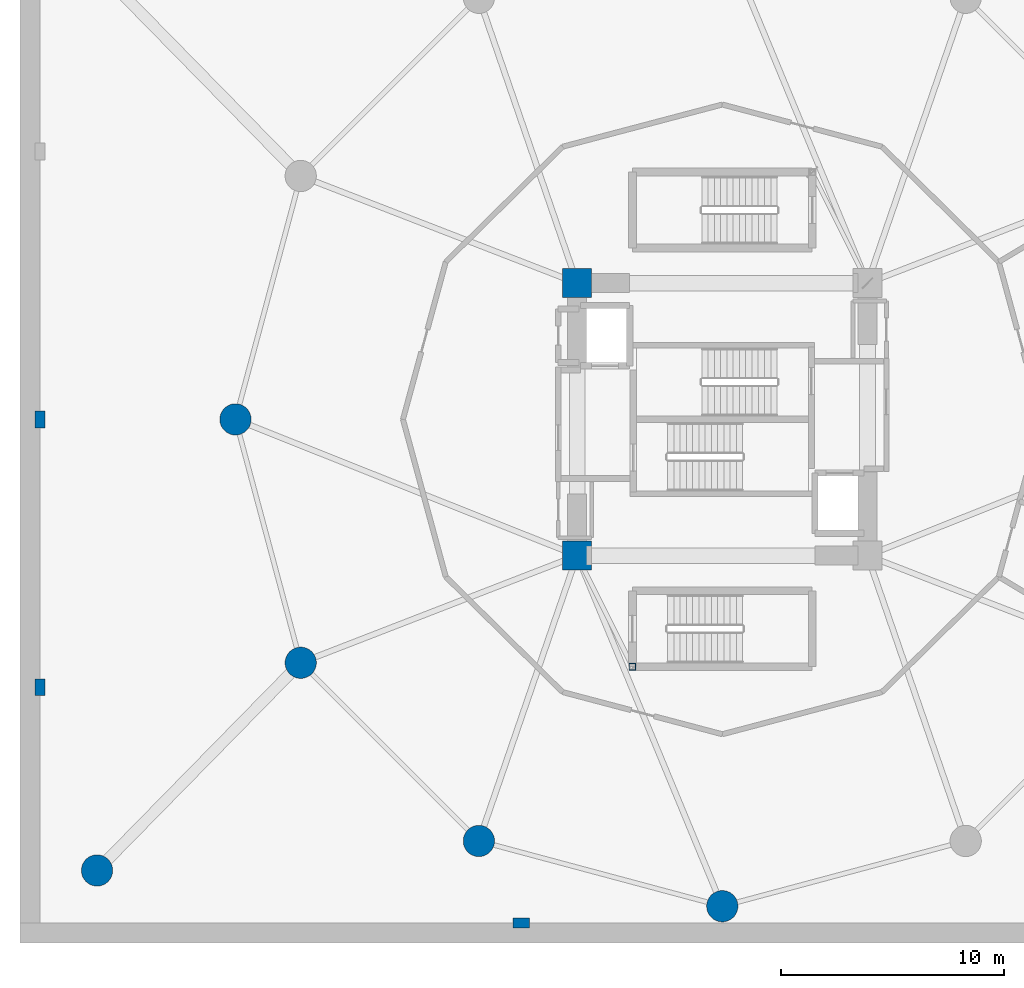
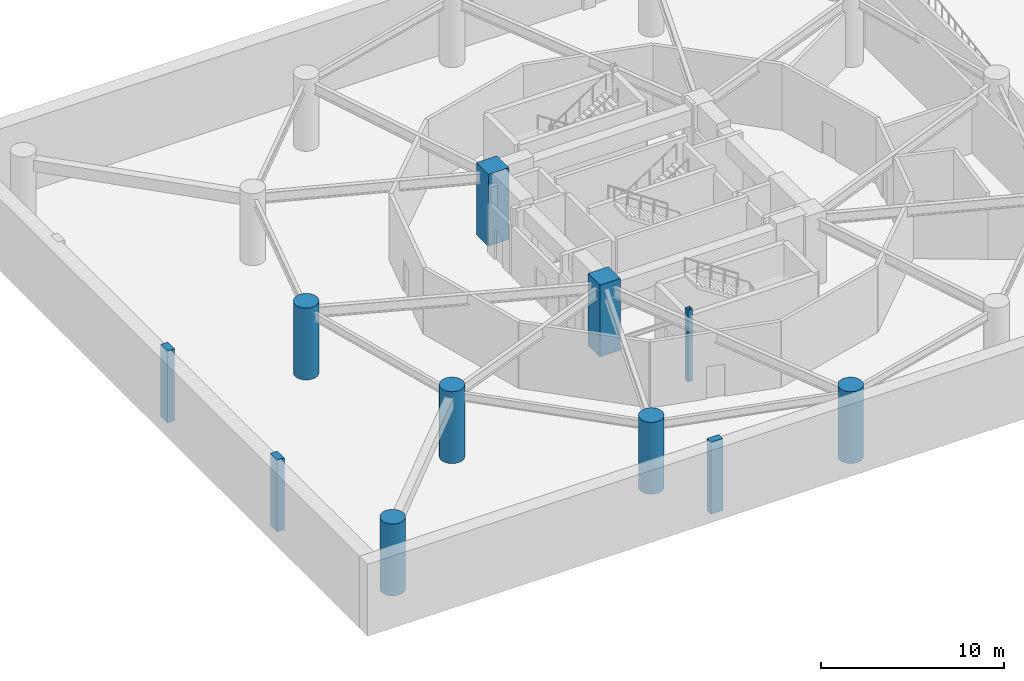
# One storey, part 1 of 10: 11 columns.
"""IFC4 building model written with IfcOpenShell, lengths in metres."""

from ifc_helpers import new_model, si_unit, direction, frame, origin, origin_2d, place, context, subcontext, project, spatial, rectangle, hollow_rectangle, circle, extrude, material, material_profile, profile_set, type_object, element, save


model = new_model("IFC4")

# Units and contexts
model_context = context("Model", 3, precision=1e-05, world=origin(), true_north=direction((0.0, 1.0)))
body_context = subcontext(model_context, "Body", "Model", "MODEL_VIEW")
ifc_project = project(units=[si_unit("LENGTHUNIT", "METRE"), si_unit("AREAUNIT", "SQUARE_METRE"), si_unit("VOLUMEUNIT", "CUBIC_METRE"), si_unit("PLANEANGLEUNIT", "RADIAN"), si_unit("MASSUNIT", "GRAM", prefix="KILO")], contexts=[model_context])

# Site, building, storey
site_placement = place(None, origin())
site = spatial("IfcSite", under=ifc_project, at=site_placement, CompositionType="ELEMENT")
building_placement = place(site_placement, origin())
building = spatial("IfcBuilding", under=site, at=building_placement, Name="Solvirekh Grand Hotel", CompositionType="ELEMENT")
storey_placement = place(building_placement, frame((0.0, 0.0, -4.800048828125)))
storey = spatial("IfcBuildingStorey", under=building, at=storey_placement, Name="B01", CompositionType="ELEMENT", Elevation=-4.800048828125)

# Columns
ifc_material_1 = material(Name="Concrete C60/75", Category="concrete")
ifc_material_profile_1 = material_profile(ifc_material_1, circle(Radius=0.699951171875, at=origin_2d()), Name="RC CIRC D1400")
ifc_profile_set_1 = profile_set([ifc_material_profile_1], Name="Concrete C60/75")
column_type_1 = type_object("IfcColumnType", Name="Col_Base_D1400", PredefinedType="COLUMN", material=ifc_profile_set_1)
for number, where, z_axis, x_axis, name in (
    (1, (-21.800048828125, 0.0, 0.0), (0.0, 0.0, 1.0), (1.0, 0.0, 0.0), "B01 perimeter column P07"),
    (2, (-18.87890625, -10.89990234375, 0.0), (0.0, 0.0, 1.0), (1.0, 0.0, 0.0), "B01 perimeter column P08"),
    (3, (-10.89990234375, -18.87890625, 0.0), (0.0, 0.0, 1.0), (1.0, 0.0, 0.0), "B01 perimeter column P09"),
    (4, (0.0, -21.800048828125, 0.0), (0.0, 0.0, 1.0), (1.0, 0.0, 0.0), "B01 perimeter column P10"),
    (5, (-28.0, -20.199951171875, 0.0), (0.0, 0.0, 1.0), (1.0, 0.0, 0.0), "B01 basement corner column BC-SW"),
):
    element("IfcColumn", number, at=place(storey_placement, frame(where, z_axis=z_axis, x_axis=x_axis)), inside=storey, type_object=column_type_1, Name=name, PredefinedType="COLUMN", context=body_context, shape_type="SweptSolid", body=[
        extrude(circle(Radius=0.699951171875, at=origin_2d()), origin(), (0.0, 0.0, 1.0), 4.800048828125),
    ])
ifc_material_profile_2 = material_profile(ifc_material_1, rectangle(XDim=1.300048828125, YDim=1.300048828125, at=origin_2d()), Name="RC 1300X1300")
ifc_profile_set_2 = profile_set([ifc_material_profile_2], Name="Concrete C60/75")
column_type_2 = type_object("IfcColumnType", Name="Col_Core_1300", PredefinedType="COLUMN", material=ifc_profile_set_2)
for number, where, z_axis, x_axis, name in (
    (6, (-6.5, -6.10009765625, 0.0), (0.0, 0.0, 1.0), (1.0, 0.0, 0.0), "B01 core corner column CC1"),
    (7, (-6.5, 6.10009765625, 0.0), (0.0, 0.0, 1.0), (1.0, 0.0, 0.0), "B01 core corner column CC4"),
):
    element("IfcColumn", number, at=place(storey_placement, frame(where, z_axis=z_axis, x_axis=x_axis)), inside=storey, type_object=column_type_2, Name=name, PredefinedType="COLUMN", context=body_context, shape_type="SweptSolid", body=[
        extrude(rectangle(XDim=1.300048828125, YDim=1.300048828125, at=origin_2d()), origin(), (0.0, 0.0, 1.0), 4.800048828125),
    ])
ifc_material_2 = material(Name="Steel S355", Category="steel")
ifc_material_profile_3 = material_profile(ifc_material_2, hollow_rectangle(XDim=0.300048828125, YDim=0.300048828125, WallThickness=0.01611328125, at=origin_2d()), Name="SHS 300X300X16")
ifc_profile_set_3 = profile_set([ifc_material_profile_3], Name="Steel S355")
column_type_3 = type_object("IfcColumnType", Name="Col_Pod_SHS300", PredefinedType="COLUMN", material=ifc_profile_set_3)
column_placement = place(storey_placement, frame((-4.02490234375, -11.074951171875, 0.0), z_axis=(0.0, 0.0, 1.0), x_axis=(1.0, 0.0, 0.0)))
element("IfcColumn", 8, at=column_placement, inside=storey, type_object=column_type_3, Name="B01 podium stair enclosure post 1", PredefinedType="COLUMN", context=body_context, shape_type="SweptSolid", body=[
    extrude(hollow_rectangle(XDim=0.300048828125, YDim=0.300048828125, WallThickness=0.01611328125, at=origin_2d()), origin(), (0.0, 0.0, 1.0), 4.800048828125),
])
ifc_material_3 = material(Name="Concrete C50/60", Category="concrete")
ifc_material_profile_4 = material_profile(ifc_material_3, rectangle(XDim=0.449951171875, YDim=0.75, at=origin_2d()), Name="RC PILASTER 750X450")
ifc_profile_set_4 = profile_set([ifc_material_profile_4], Name="Concrete C50/60")
column_type_4 = type_object("IfcColumnType", Name="Pilaster_750X450", PredefinedType="PILASTER", material=ifc_profile_set_4)
for number, where, z_axis, x_axis, name in (
    (9, (-30.550048828125, -12.0, 0.0), (0.0, 0.0, 1.0), (1.0, 0.0, 0.0), "B01 retaining wall pilaster 1"),
    (10, (-30.550048828125, 0.0, 0.0), (0.0, 0.0, 1.0), (1.0, 0.0, 0.0), "B01 retaining wall pilaster 2"),
    (11, (-9.0, -22.550048828125, 0.0), (0.0, 0.0, 1.0), (0.0, 1.0, 0.0), "B01 retaining wall pilaster 6"),
):
    element("IfcColumn", number, at=place(storey_placement, frame(where, z_axis=z_axis, x_axis=x_axis)), inside=storey, type_object=column_type_4, Name=name, PredefinedType="PILASTER", context=body_context, shape_type="SweptSolid", body=[
        extrude(rectangle(XDim=0.449951171875, YDim=0.75, at=origin_2d()), origin(), (0.0, 0.0, 1.0), 4.800048828125),
    ])

save(model, "model.ifc")
